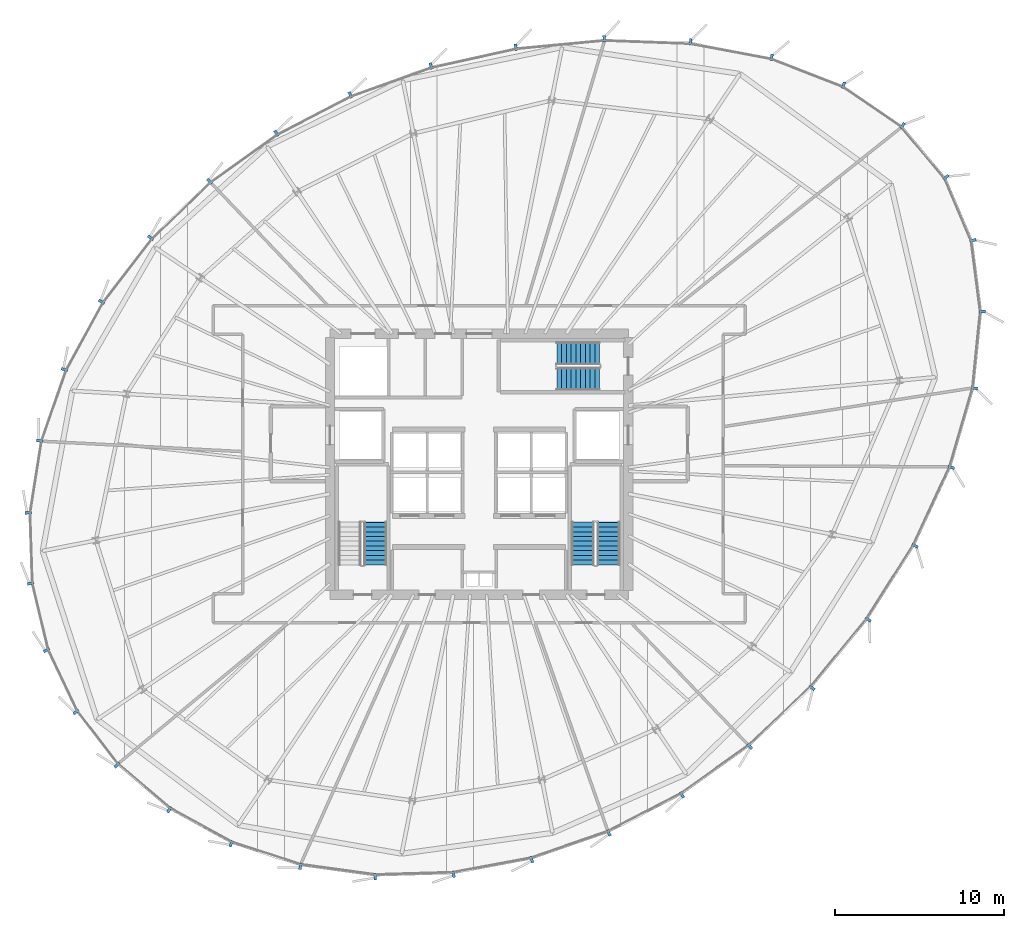
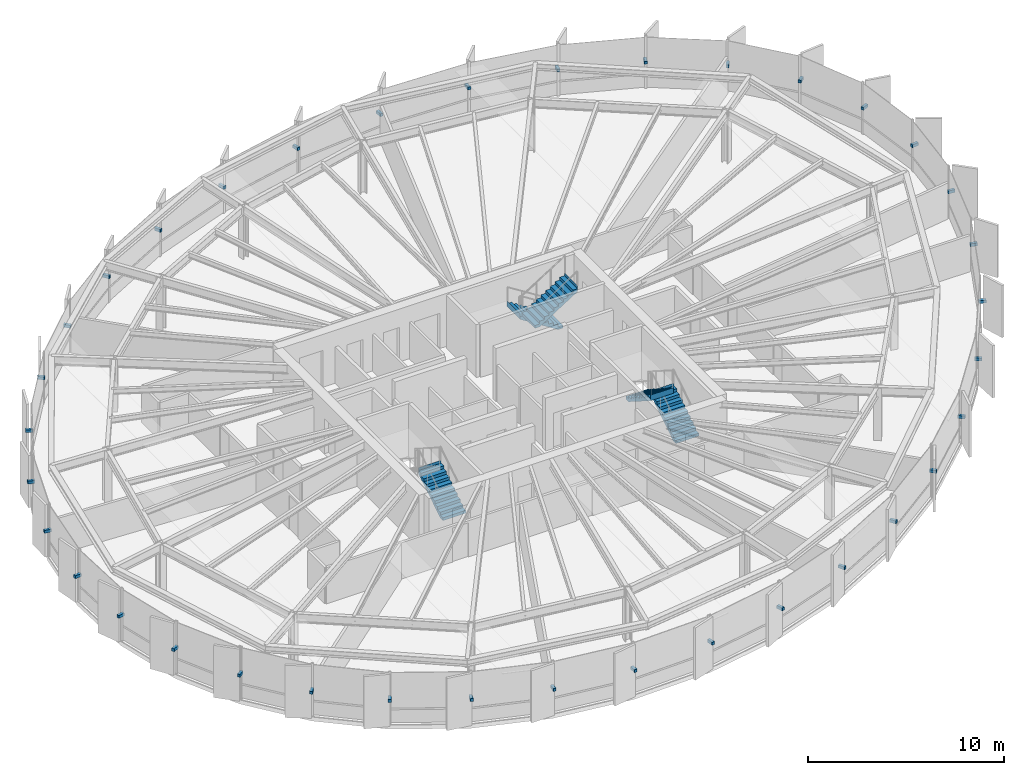
# One storey, part 28 of 32: 36 discrete accessories, 5 stair flights, 3 elements without a shape of their own.
"""IFC4 building model written with IfcOpenShell, lengths in metres."""

import ifcopenshell
import ifcopenshell.guid

model = None  # the IFC model being written
_history = None  # IfcOwnerHistory: only IFC2X3 demands one
_inside = {}  # id of a spatial element -> (the spatial element, [elements in it])
_under = {}  # id of a project, library or spatial element -> (it, [spatial elements below it])
_declared = {}  # id of a project -> (the project, [libraries it declares])
_typed = {}  # id of a type object -> (the type object, [elements of that type])
_made_of = {}  # id of a material, layer set ... -> (it, [elements and type objects made of it])


def new_model(schema):
    """Start an empty IFC model of exactly this schema.

    Asked for "IFC4X3", IfcOpenShell would pick the latest addendum, in which some entities
    have other attributes; the version numbers below select the first issue.
    IFC2X3 requires an IfcOwnerHistory on every rooted entity: one is made here for all.
    """
    global model, _history
    if schema == "IFC4X3":
        model = ifcopenshell.file(schema_version=(4, 3, 0, 0))
    else:
        model = ifcopenshell.file(schema=schema)
    _inside.clear()
    _under.clear()
    _declared.clear()
    _typed.clear()
    _made_of.clear()
    _history = None
    if model.schema == "IFC2X3":
        org = make("IfcOrganization", Name="unknown")
        user = make(
            "IfcPersonAndOrganization",
            ThePerson=make("IfcPerson", FamilyName="unknown"),
            TheOrganization=org,
        )
        app = make(
            "IfcApplication",
            ApplicationDeveloper=org,
            Version="unknown",
            ApplicationFullName="unknown",
            ApplicationIdentifier="unknown",
        )
        _history = make(
            "IfcOwnerHistory",
            OwningUser=user,
            OwningApplication=app,
            ChangeAction="ADDED",
            CreationDate=0,
        )
    return model


def make(cls, **values):
    """One entity of the class cls with the attributes given. An attribute that is None is left unset."""
    return model.create_entity(
        cls, **{name: value for name, value in values.items() if value is not None}
    )


def rooted(cls, **values):
    """An entity with a GlobalId (a new one), such as an element, a storey or a relation."""
    return make(cls, GlobalId=ifcopenshell.guid.new(), OwnerHistory=_history, **values)


def si_unit(unit_type, name, prefix=None):
    """IfcSIUnit, for example si_unit("LENGTHUNIT", "METRE", prefix="MILLI")."""
    return make("IfcSIUnit", UnitType=unit_type, Prefix=prefix, Name=name)


def assignment(units):
    """IfcUnitAssignment: the units of a project."""
    return None if units is None else make("IfcUnitAssignment", Units=units)


def point(xyz):
    """IfcCartesianPoint."""
    return None if xyz is None else make("IfcCartesianPoint", Coordinates=xyz)


def direction(xyz):
    """IfcDirection."""
    return None if xyz is None else make("IfcDirection", DirectionRatios=xyz)


def frame(location, z_axis=None, x_axis=None):
    """IfcAxis2Placement3D, a coordinate frame: its origin and axes. An axis left out is left unset."""
    return make(
        "IfcAxis2Placement3D",
        Location=point(location),
        Axis=direction(z_axis),
        RefDirection=direction(x_axis),
    )


def frame_2d(location, x_axis=None):
    """IfcAxis2Placement2D, a coordinate frame in the plane: its origin and x axis."""
    return make(
        "IfcAxis2Placement2D", Location=point(location), RefDirection=direction(x_axis)
    )


def origin():
    """The frame at (0, 0, 0) with its axes left unset."""
    return frame((0.0, 0.0, 0.0))


def origin_2d():
    """The frame at (0, 0) in the plane with its x axis left unset."""
    return frame_2d((0.0, 0.0))


def place(relative_to, where):
    """IfcLocalPlacement: puts the frame where relative to a parent placement (None: the world)."""
    return make(
        "IfcLocalPlacement", PlacementRelTo=relative_to, RelativePlacement=where
    )


def context(
    kind, dimensions, precision=None, world=None, true_north=None, identifier=None
):
    """IfcGeometricRepresentationContext, for example the 3D "Model" context."""
    return make(
        "IfcGeometricRepresentationContext",
        ContextIdentifier=identifier,
        ContextType=kind,
        CoordinateSpaceDimension=dimensions,
        Precision=precision,
        WorldCoordinateSystem=world,
        TrueNorth=true_north,
    )


def subcontext(parent, identifier, kind, view, scale=None):
    """IfcGeometricRepresentationSubContext, for example "Body" below "Model"."""
    return make(
        "IfcGeometricRepresentationSubContext",
        ContextIdentifier=identifier,
        ContextType=kind,
        ParentContext=parent,
        TargetScale=scale,
        TargetView=view,
    )


def project(units=None, contexts=None):
    """IfcProject with its units and contexts."""
    return rooted(
        "IfcProject",
        Name="project",
        RepresentationContexts=contexts,
        UnitsInContext=assignment(units),
    )


def spatial(cls, under=None, at=None, **own):
    """A site, building, storey or space (cls), placed at a placement, below another one or the project."""
    s = rooted(cls, ObjectPlacement=at, **own)
    if under is not None:
        _under.setdefault(under.id(), (under, []))[1].append(s)
    return s


def polyline(points):
    """IfcPolyline through the points."""
    return make("IfcPolyline", Points=[point(p) for p in points])


def profile(cls, at=None, kind="AREA", **sizes):
    """A parametric profile (cls). Its sizes go by their IFC names, for example OverallWidth=200.0."""
    return make(cls, ProfileType=kind, Position=at, **sizes)


def rectangle(**sizes):
    """IfcRectangleProfileDef."""
    return profile("IfcRectangleProfileDef", **sizes)


def outline(outer, holes=None, kind="AREA"):
    """IfcArbitraryClosedProfileDef: a profile drawn as a closed curve; with holes, ...WithVoids."""
    if holes is None:
        return make("IfcArbitraryClosedProfileDef", ProfileType=kind, OuterCurve=outer)
    return make(
        "IfcArbitraryProfileDefWithVoids",
        ProfileType=kind,
        OuterCurve=outer,
        InnerCurves=holes,
    )


def extrude(swept, where, along, depth):
    """IfcExtrudedAreaSolid: the profile swept, set in the frame where, extruded along a direction by depth."""
    return make(
        "IfcExtrudedAreaSolid",
        SweptArea=swept,
        Position=where,
        ExtrudedDirection=direction(along),
        Depth=depth,
    )


def shape(context_of_items, identifier, shape_type, items):
    """IfcShapeRepresentation: the items that make up one representation, for example the "Body"."""
    return make(
        "IfcShapeRepresentation",
        ContextOfItems=context_of_items,
        RepresentationIdentifier=identifier,
        RepresentationType=shape_type,
        Items=items,
    )


def source(mapping_origin, context_of_items, identifier, shape_type, items):
    """IfcRepresentationMap: a shape defined once, which mapped items show again and again."""
    return make(
        "IfcRepresentationMap",
        MappingOrigin=mapping_origin,
        MappedRepresentation=shape(context_of_items, identifier, shape_type, items),
    )


def transform(
    local_origin,
    x_axis=None,
    y_axis=None,
    z_axis=None,
    scale=None,
    scale2=None,
    scale3=None,
    uniform=True,
):
    """IfcCartesianTransformationOperator3D, or its non-uniform kind. x_axis, y_axis, z_axis: its Axis1, 2, 3."""
    if uniform:
        return make(
            "IfcCartesianTransformationOperator3D",
            Axis1=direction(x_axis),
            Axis2=direction(y_axis),
            LocalOrigin=point(local_origin),
            Scale=scale,
            Axis3=direction(z_axis),
        )
    return make(
        "IfcCartesianTransformationOperator3DnonUniform",
        Axis1=direction(x_axis),
        Axis2=direction(y_axis),
        LocalOrigin=point(local_origin),
        Scale=scale,
        Axis3=direction(z_axis),
        Scale2=scale2,
        Scale3=scale3,
    )


def mapped(mapping_source, mapping_target):
    """IfcMappedItem: shows the shape of a source again, moved by a transform."""
    return make(
        "IfcMappedItem", MappingSource=mapping_source, MappingTarget=mapping_target
    )


def material(Name=None, Category=None):
    """IfcMaterial."""
    return make("IfcMaterial", Name=Name, Category=Category)


def made_of(thing, what):
    """Note that an element or type object is made of a material, layer set ...; save() writes the relation."""
    if what is not None:
        _made_of.setdefault(what.id(), (what, []))[1].append(thing)
    return thing


def type_object(cls, material=None, **own):
    """A type object (cls), such as IfcWallType, which elements share."""
    return made_of(rooted(cls, **own), material)


def element(
    cls,
    number,
    at=None,
    inside=None,
    cuts=None,
    type_object=None,
    material=None,
    context=None,
    identifier="Body",
    shape_type=None,
    held_by="IfcProductDefinitionShape",
    body=None,
    shapes=None,
    **own,
):
    """One element of the class cls, such as IfcWall. Its Tag is "e" and its number.

    at: its placement. inside: the storey or other place that contains it. cuts: it is an
    opening in that element (IfcRelVoidsElement). A single representation is given by context,
    identifier, shape_type and body (its items); several are given by shapes. held_by: the class
    of the entity that holds the representations. save() writes the other relations.
    """
    e = rooted(cls, Tag="e%d" % number, ObjectPlacement=at, **own)
    if body is not None:
        shapes = [shape(context, identifier, shape_type, body)]
    if shapes is not None:
        e.Representation = make(held_by, Representations=shapes)
    if inside is not None:
        _inside.setdefault(inside.id(), (inside, []))[1].append(e)
    if cuts is not None:
        rooted(
            "IfcRelVoidsElement", RelatingBuildingElement=cuts, RelatedOpeningElement=e
        )
    if type_object is not None:
        _typed.setdefault(type_object.id(), (type_object, []))[1].append(e)
    return made_of(e, material)


def aggregate(whole, parts):
    """IfcRelAggregates: a whole, such as a stair, and the parts it consists of."""
    return rooted("IfcRelAggregates", RelatingObject=whole, RelatedObjects=parts)


def save(model, path):
    """Write the relations noted so far, then the file.

    IfcRelAggregates (storeys below a building ...), IfcRelContainedInSpatialStructure (elements
    in a storey), IfcRelDefinesByType, IfcRelAssociatesMaterial and IfcRelDeclares: one each for
    every whole, place, type object, material and project.
    """
    for whole, parts in _under.values():
        aggregate(whole, parts)
    for where, things in _inside.values():
        rooted(
            "IfcRelContainedInSpatialStructure",
            RelatedElements=things,
            RelatingStructure=where,
        )
    for kind, things in _typed.values():
        rooted("IfcRelDefinesByType", RelatedObjects=things, RelatingType=kind)
    for what, things in _made_of.values():
        rooted("IfcRelAssociatesMaterial", RelatedObjects=things, RelatingMaterial=what)
    for by, libraries in _declared.values():
        rooted("IfcRelDeclares", RelatingContext=by, RelatedDefinitions=libraries)
    model.write(path)


model = new_model("IFC4")

# Units and contexts
model_context = context("Model", 3, precision=1e-05, world=origin(), true_north=direction((0.0, 1.0)))
body_context = subcontext(model_context, "Body", "Model", "MODEL_VIEW")
ifc_project = project(units=[si_unit("LENGTHUNIT", "METRE"), si_unit("AREAUNIT", "SQUARE_METRE"), si_unit("VOLUMEUNIT", "CUBIC_METRE"), si_unit("PLANEANGLEUNIT", "RADIAN"), si_unit("MASSUNIT", "GRAM", prefix="KILO"), si_unit("THERMODYNAMICTEMPERATUREUNIT", "KELVIN")], contexts=[model_context])

# Site, building, storey
site_placement = place(None, origin())
site = spatial("IfcSite", under=ifc_project, at=site_placement, CompositionType="ELEMENT")
building_placement = place(site_placement, origin())
building = spatial("IfcBuilding", under=site, at=building_placement, Name="Kethvar Cultural Tower", CompositionType="ELEMENT")
storey_placement = place(building_placement, frame((0.0, 0.0, 160.75)))
storey = spatial("IfcBuildingStorey", under=building, at=storey_placement, Name="L41", CompositionType="ELEMENT", Elevation=160.75)

# Stair, stair flight
ifc_material_1 = material(Name="Concrete C40/50", Category="concrete")
stair_type = type_object("IfcStairType", Name="ST-DOGLEG-135", PredefinedType="HALF_TURN_STAIR", material=ifc_material_1)
stair_1_placement = place(storey_placement, origin())
stair_1 = element("IfcStair", 1, at=stair_1_placement, inside=storey, type_object=stair_type, Name="L41 Core Exit Stair 1", PredefinedType="HALF_TURN_STAIR")
stair_flight_type = type_object("IfcStairFlightType", Name="FL-STRAIGHT-135", PredefinedType="STRAIGHT", material=ifc_material_1)
stair_flight_1_placement = place(storey_placement, frame((40.675048828125, 21.85009765625, 0.0), z_axis=(0.0, 0.0, 1.0), x_axis=(0.0, 1.0, 0.0)))
stair_flight_1 = element("IfcStairFlight", 2, at=stair_flight_1_placement, type_object=stair_flight_type, Name="ST-01 flight 1", NumberOfRisers=10, NumberOfTreads=9, PredefinedType="STRAIGHT", RiserHeight=0.1775, TreadLength=0.28, context=body_context, shape_type="SweptSolid", body=[
    extrude(outline(polyline([(-0.0009765625, -0.0009765625), (-0.0009765625, 0.177490234375), (0.280029296875, 0.177490234375), (0.280029296875, 0.35498046875), (0.56005859375, 0.35498046875), (0.56005859375, 0.532470703125), (0.840087890625, 0.532470703125), (0.840087890625, 0.7099609375), (1.1201171875, 0.7099609375), (1.1201171875, 0.887451171875), (1.39990234375, 0.887451171875), (1.39990234375, 1.06494140625), (1.679931640625, 1.06494140625), (1.679931640625, 1.242431640625), (1.9599609375, 1.242431640625), (1.9599609375, 1.419921875), (2.239990234375, 1.419921875), (2.239990234375, 1.597412109375), (2.52001953125, 1.597412109375), (2.52001953125, 1.77490234375), (2.52099609375, 1.77490234375), (2.52099609375, 1.419921875), (0.280029296875, 0.0), (0.0, -0.0009765625), (-0.0009765625, -0.0009765625)])), frame((0.0, 0.675048828125, 0.0), z_axis=(0.0, -1.0, 0.0), x_axis=(1.0, 0.0, 0.0)), (0.0, 0.0, 1.0), 1.35009765625),
])
aggregate(stair_1, [stair_flight_1])

# Stair, stair flights
stair_2_placement = place(storey_placement, origin())
stair_2 = element("IfcStair", 3, at=stair_2_placement, inside=storey, type_object=stair_type, Name="L41 Core Exit Stair 2", PredefinedType="HALF_TURN_STAIR")
stair_flight_2_placement = place(storey_placement, frame((54.43505859375, 21.85009765625, 0.0), z_axis=(0.0, 0.0, 1.0), x_axis=(0.0, 1.0, 0.0)))
stair_flight_2 = element("IfcStairFlight", 4, at=stair_flight_2_placement, type_object=stair_flight_type, Name="ST-02 flight 1", NumberOfRisers=10, NumberOfTreads=9, PredefinedType="STRAIGHT", RiserHeight=0.1775, TreadLength=0.28, context=body_context, shape_type="SweptSolid", body=[
    extrude(outline(polyline([(-0.0009765625, -0.0009765625), (-0.0009765625, 0.177490234375), (0.280029296875, 0.177490234375), (0.280029296875, 0.35498046875), (0.56005859375, 0.35498046875), (0.56005859375, 0.532470703125), (0.840087890625, 0.532470703125), (0.840087890625, 0.7099609375), (1.1201171875, 0.7099609375), (1.1201171875, 0.887451171875), (1.39990234375, 0.887451171875), (1.39990234375, 1.06494140625), (1.679931640625, 1.06494140625), (1.679931640625, 1.242431640625), (1.9599609375, 1.242431640625), (1.9599609375, 1.419921875), (2.239990234375, 1.419921875), (2.239990234375, 1.597412109375), (2.52001953125, 1.597412109375), (2.52001953125, 1.77490234375), (2.52099609375, 1.77490234375), (2.52099609375, 1.419921875), (0.280029296875, 0.0), (0.0, -0.0009765625), (-0.0009765625, -0.0009765625)])), frame((0.0, 0.675048828125, 0.0), z_axis=(0.0, -1.0, 0.0), x_axis=(1.0, 0.0, 0.0)), (0.0, 0.0, 1.0), 1.35009765625),
])
stair_flight_3_placement = place(storey_placement, frame((52.925048828125, 24.3701171875, 1.77490234375), z_axis=(0.0, 0.0, 1.0), x_axis=(0.0, -1.0, 0.0)))
stair_flight_3 = element("IfcStairFlight", 5, at=stair_flight_3_placement, type_object=stair_flight_type, Name="ST-02 flight 2", NumberOfRisers=10, NumberOfTreads=9, PredefinedType="STRAIGHT", RiserHeight=0.1775, TreadLength=0.28, context=body_context, shape_type="SweptSolid", body=[
    extrude(outline(polyline([(-0.0009765625, -0.0009765625), (-0.0009765625, 0.177490234375), (0.280029296875, 0.177490234375), (0.280029296875, 0.35498046875), (0.56005859375, 0.35498046875), (0.56005859375, 0.532470703125), (0.840087890625, 0.532470703125), (0.840087890625, 0.7099609375), (1.1201171875, 0.7099609375), (1.1201171875, 0.887451171875), (1.39990234375, 0.887451171875), (1.39990234375, 1.06494140625), (1.679931640625, 1.06494140625), (1.679931640625, 1.242431640625), (1.9599609375, 1.242431640625), (1.9599609375, 1.419921875), (2.239990234375, 1.419921875), (2.239990234375, 1.597412109375), (2.52001953125, 1.597412109375), (2.52001953125, 1.77490234375), (2.52099609375, 1.77490234375), (2.52099609375, 1.419921875), (0.280029296875, 0.0), (0.0, -0.0009765625), (-0.0009765625, -0.0009765625)])), frame((0.0, 0.675048828125, 0.0), z_axis=(0.0, -1.0, 0.0), x_axis=(1.0, 0.0, 0.0)), (0.0, 0.0, 1.0), 1.35009765625),
])
aggregate(stair_2, [stair_flight_2, stair_flight_3])

stair_3_placement = place(storey_placement, origin())
stair_3 = element("IfcStair", 6, at=stair_3_placement, inside=storey, type_object=stair_type, Name="L41 Core Exit Stair 3", PredefinedType="HALF_TURN_STAIR")
stair_flight_4_placement = place(storey_placement, frame((53.89990234375, 34.3349609375, 0.0), z_axis=(0.0, 0.0, 1.0), x_axis=(-1.0, 0.0, 0.0)))
stair_flight_4 = element("IfcStairFlight", 7, at=stair_flight_4_placement, type_object=stair_flight_type, Name="ST-03 flight 1", NumberOfRisers=10, NumberOfTreads=9, PredefinedType="STRAIGHT", RiserHeight=0.1775, TreadLength=0.28, context=body_context, shape_type="SweptSolid", body=[
    extrude(outline(polyline([(-0.0009765625, -0.0009765625), (-0.0009765625, 0.177490234375), (0.280029296875, 0.177490234375), (0.280029296875, 0.35498046875), (0.56005859375, 0.35498046875), (0.56005859375, 0.532470703125), (0.840087890625, 0.532470703125), (0.840087890625, 0.7099609375), (1.1201171875, 0.7099609375), (1.1201171875, 0.887451171875), (1.39990234375, 0.887451171875), (1.39990234375, 1.06494140625), (1.679931640625, 1.06494140625), (1.679931640625, 1.242431640625), (1.9599609375, 1.242431640625), (1.9599609375, 1.419921875), (2.239990234375, 1.419921875), (2.239990234375, 1.597412109375), (2.52001953125, 1.597412109375), (2.52001953125, 1.77490234375), (2.52099609375, 1.77490234375), (2.52099609375, 1.419921875), (0.280029296875, 0.0), (0.0, -0.0009765625), (-0.0009765625, -0.0009765625)])), frame((0.0, 0.675048828125, 0.0), z_axis=(0.0, -1.0, 0.0), x_axis=(1.0, 0.0, 0.0)), (0.0, 0.0, 1.0), 1.35009765625),
])
stair_flight_5_placement = place(storey_placement, frame((51.3798828125, 32.824951171875, 1.77490234375), z_axis=(0.0, 0.0, 1.0), x_axis=(1.0, 0.0, 0.0)))
stair_flight_5 = element("IfcStairFlight", 8, at=stair_flight_5_placement, type_object=stair_flight_type, Name="ST-03 flight 2", NumberOfRisers=10, NumberOfTreads=9, PredefinedType="STRAIGHT", RiserHeight=0.1775, TreadLength=0.28, context=body_context, shape_type="SweptSolid", body=[
    extrude(outline(polyline([(-0.0009765625, -0.0009765625), (-0.0009765625, 0.177490234375), (0.280029296875, 0.177490234375), (0.280029296875, 0.35498046875), (0.56005859375, 0.35498046875), (0.56005859375, 0.532470703125), (0.840087890625, 0.532470703125), (0.840087890625, 0.7099609375), (1.1201171875, 0.7099609375), (1.1201171875, 0.887451171875), (1.39990234375, 0.887451171875), (1.39990234375, 1.06494140625), (1.679931640625, 1.06494140625), (1.679931640625, 1.242431640625), (1.9599609375, 1.242431640625), (1.9599609375, 1.419921875), (2.239990234375, 1.419921875), (2.239990234375, 1.597412109375), (2.52001953125, 1.597412109375), (2.52001953125, 1.77490234375), (2.52099609375, 1.77490234375), (2.52099609375, 1.419921875), (0.280029296875, 0.0), (0.0, -0.0009765625), (-0.0009765625, -0.0009765625)])), frame((0.0, 0.675048828125, 0.0), z_axis=(0.0, -1.0, 0.0), x_axis=(1.0, 0.0, 0.0)), (0.0, 0.0, 1.0), 1.35009765625),
])
aggregate(stair_3, [stair_flight_4, stair_flight_5])

# Discrete accessories
ifc_material_2 = material(Name="Steel S355J2", Category="steel")
discrete_accessory_type = type_object("IfcDiscreteAccessoryType", Name="Steel Fin Bracket BRK-01", PredefinedType="BRACKET", material=ifc_material_2)
shared_shape = source(origin(), body_context, "Body", "SweptSolid", [
    extrude(rectangle(XDim=0.3798828125, YDim=0.159912109375, at=origin_2d()), origin(), (0.0, 0.0, 1.0), 0.179931640625),
])
for number, where, z_axis, x_axis, name in (
    (9, (74.3369140625, 44.7216796875, 1.56005859375), (0.0, 0.0, 1.0), (0.766717148576, 0.641985057521, 0.0), "L41 Terracotta Fin Bracket 1.1"),
    (10, (71.781005859375, 47.774169921875, 1.56005859375), (0.0, 0.0, 1.0), (0.56424674103, 0.825606210755, 0.0), "L41 Terracotta Fin Bracket 1.2"),
    (11, (68.29248046875, 50.15771484375, 1.56005859375), (0.0, 0.0, 1.0), (0.361949990445, 0.93219751363, 0.0), "L41 Terracotta Fin Bracket 1.3"),
    (12, (64.055419921875, 51.802978515625, 1.56005859375), (0.0, 0.0, 1.0), (0.185838110843, 0.98258037664, 0.0), "L41 Terracotta Fin Bracket 1.4"),
    (13, (59.27490234375, 52.707275390625, 1.56005859375), (0.0, 0.0, 1.0), (0.036818123855, 0.999321983024, 0.0), "L41 Terracotta Fin Bracket 1.5"),
    (14, (54.181884765625, 52.895263671875, 1.56005859375), (0.0, 0.0, 1.0), (-0.093760790908, 0.995594753948, 0.0), "L41 Terracotta Fin Bracket 1.6"),
    (15, (48.968994140625, 52.399658203125, 1.56005859375), (0.0, 0.0, 1.0), (-0.215928396898, 0.976409200803, 0.0), "L41 Terracotta Fin Bracket 2.1"),
    (16, (43.9580078125, 51.291748046875, 1.56005859375), (0.0, 0.0, 1.0), (-0.337259570896, 0.941411696251, 0.0), "L41 Terracotta Fin Bracket 2.2"),
    (17, (39.199951171875, 49.587158203125, 1.56005859375), (0.0, 0.0, 1.0), (-0.46081948465, 0.887493888749, 0.0), "L41 Terracotta Fin Bracket 2.3"),
    (18, (34.83642578125, 47.3212890625, 1.56005859375), (0.0, 0.0, 1.0), (-0.582122970157, 0.813100761047, 0.0), "L41 Terracotta Fin Bracket 2.4"),
    (19, (30.8837890625, 44.49072265625, 1.56005859375), (0.0, 0.0, 1.0), (-0.693276057822, 0.720672122155, 0.0), "L41 Terracotta Fin Bracket 2.5"),
    (20, (27.41455078125, 41.1533203125, 1.56005859375), (0.0, 0.0, 1.0), (-0.792502575922, 0.609868565477, 0.0), "L41 Terracotta Fin Bracket 2.6"),
    (21, (24.515380859375, 37.3759765625, 1.56005859375), (0.0, 0.0, 1.0), (-0.877648571535, 0.479304688984, 0.0), "L41 Terracotta Fin Bracket 3.1"),
    (22, (22.330322265625, 33.375, 1.56005859375), (0.0, 0.0, 1.0), (-0.944605732311, 0.328207267568, 0.0), "L41 Terracotta Fin Bracket 3.2"),
    (23, (20.869873046875, 29.17041015625, 1.56005859375), (0.0, 0.0, 1.0), (-0.987688340595, 0.15643446504, 0.0), "L41 Terracotta Fin Bracket 3.3"),
    (24, (20.197509765625, 24.924072265625, 1.56005859375), (0.0, 0.0, 1.0), (-0.999467438949, -0.032631862958, 0.0), "L41 Terracotta Fin Bracket 3.4"),
    (25, (20.333251953125, 20.764892578125, 1.56005859375), (0.0, 0.0, 1.0), (-0.972775878209, -0.231747903494, 0.0), "L41 Terracotta Fin Bracket 3.5"),
    (26, (21.2734375, 16.8193359375, 1.56005859375), (0.0, 0.0, 1.0), (-0.903260415802, -0.42909278862, 0.0), "L41 Terracotta Fin Bracket 3.6"),
    (27, (23.01318359375, 13.176513671875, 1.56005859375), (0.0, 0.0, 1.0), (-0.792396121708, -0.61000687398, 0.0), "L41 Terracotta Fin Bracket 4.1"),
    (28, (25.4287109375, 10.039306640625, 1.56005859375), (0.0, 0.0, 1.0), (-0.648119901063, -0.761538307537, 0.0), "L41 Terracotta Fin Bracket 4.2"),
    (29, (28.517578125, 7.41064453125, 1.56005859375), (0.0, 0.0, 1.0), (-0.482823924874, -0.875717453046, 0.0), "L41 Terracotta Fin Bracket 4.3"),
    (30, (32.161865234375, 5.40185546875, 1.56005859375), (0.0, 0.0, 1.0), (-0.309016994375, -0.951056516295, 0.0), "L41 Terracotta Fin Bracket 4.4"),
    (31, (36.250732421875, 4.073486328125, 1.56005859375), (0.0, 0.0, 1.0), (-0.13640721178, -0.990652851697, 0.0), "L41 Terracotta Fin Bracket 4.5"),
    (32, (40.66015625, 3.46630859375, 1.56005859375), (0.0, 0.0, 1.0), (0.028619491372, -0.999590378462, 0.0), "L41 Terracotta Fin Bracket 4.6"),
    (33, (45.294189453125, 3.60546875, 1.56005859375), (0.0, 0.0, 1.0), (0.183608230249, -0.982999500399, 0.0), "L41 Terracotta Fin Bracket 5.1"),
    (34, (49.898681640625, 4.465576171875, 1.56005859375), (0.0, 0.0, 1.0), (0.327382818692, -0.944891787468, 0.0), "L41 Terracotta Fin Bracket 5.2"),
    (35, (54.447265625, 6.041748046875, 1.56005859375), (0.0, 0.0, 1.0), (0.460199784784, -0.887815385136, 0.0), "L41 Terracotta Fin Bracket 5.3"),
    (36, (58.763427734375, 8.27880859375, 1.56005859375), (0.0, 0.0, 1.0), (0.581555176926, -0.813506961366, 0.0), "L41 Terracotta Fin Bracket 5.4"),
    (37, (62.76318359375, 11.13818359375, 1.56005859375), (0.0, 0.0, 1.0), (0.685691322174, -0.727892444455, 0.0), "L41 Terracotta Fin Bracket 5.5"),
    (38, (66.44189453125, 14.603515625, 1.56005859375), (0.0, 0.0, 1.0), (0.771957527377, -0.635674111417, 0.0), "L41 Terracotta Fin Bracket 5.6"),
    (39, (69.74951171875, 18.62841796875, 1.56005859375), (0.0, 0.0, 1.0), (0.844514912895, -0.535532036295, 0.0), "L41 Terracotta Fin Bracket 6.1"),
    (40, (72.511962890625, 22.985595703125, 1.56005859375), (0.0, 0.0, 1.0), (0.907117485088, -0.42087749791, 0.0), "L41 Terracotta Fin Bracket 6.2"),
    (41, (74.65673828125, 27.60888671875, 1.56005859375), (0.0, 0.0, 1.0), (0.959854262938, -0.280499187022, 0.0), "L41 Terracotta Fin Bracket 6.3"),
    (42, (76.02099609375, 32.279296875, 1.56005859375), (0.0, 0.0, 1.0), (0.994915923519, -0.100709012153, 0.0), "L41 Terracotta Fin Bracket 6.4"),
    (43, (76.478271484375, 36.802001953125, 1.56005859375), (0.0, 0.0, 1.0), (0.99178318013, 0.127930151302, 0.0), "L41 Terracotta Fin Bracket 6.5"),
    (44, (75.9375, 40.992919921875, 1.56005859375), (0.0, 0.0, 1.0), (0.920026798459, 0.391855445435, 0.0), "L41 Terracotta Fin Bracket 6.6"),
):
    element("IfcDiscreteAccessory", number, at=place(storey_placement, frame(where, z_axis=z_axis, x_axis=x_axis)), inside=storey, type_object=discrete_accessory_type, Name=name, PredefinedType="BRACKET", context=body_context, shape_type="MappedRepresentation", body=[
        mapped(shared_shape, transform((0.0, 0.0, 0.0), scale=1.0)),
    ])

save(model, "model.ifc")
